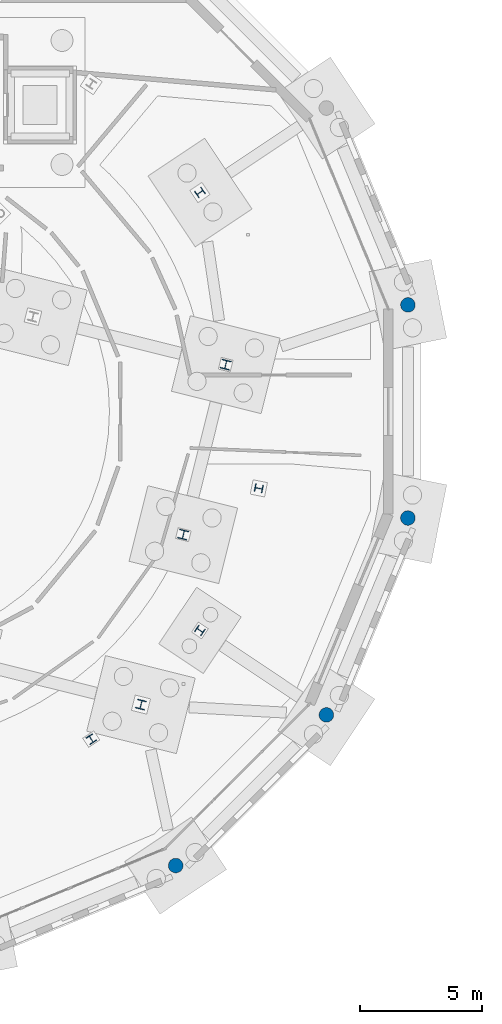
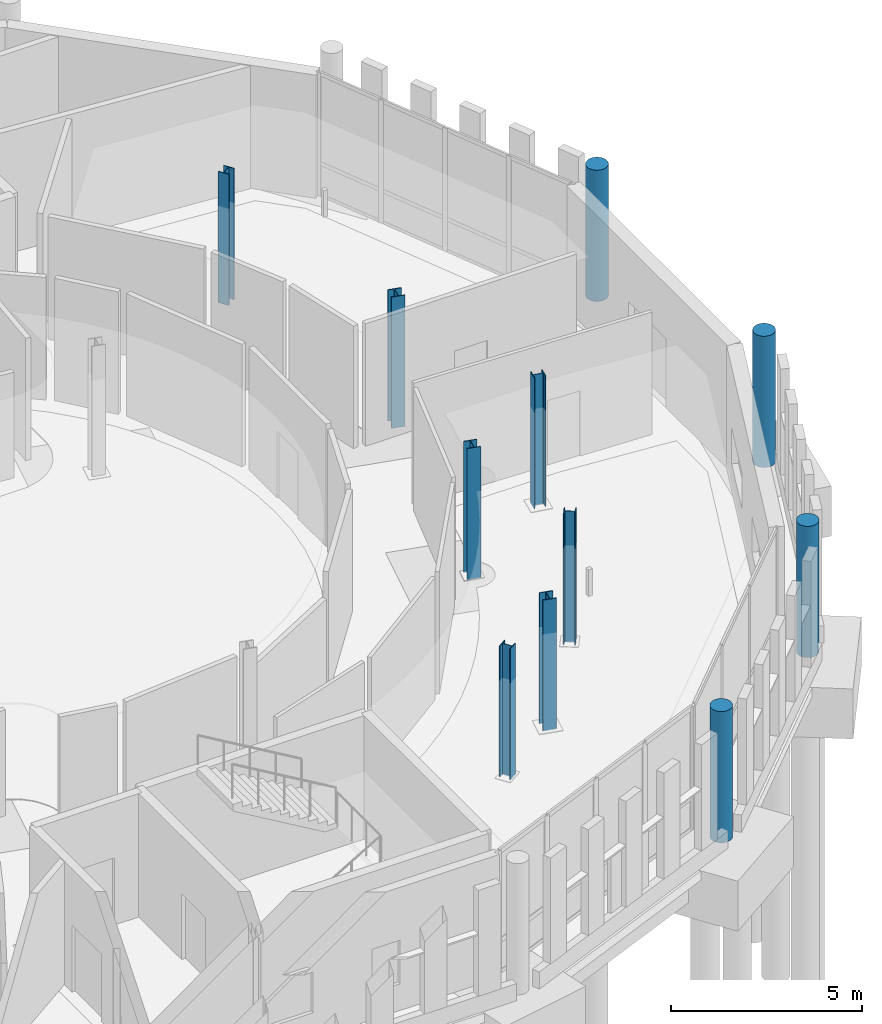
# One storey, part 22 of 113: 11 columns.
"""IFC4 building model written with IfcOpenShell, lengths in metres."""

from ifc_helpers import new_model, si_unit, direction, frame, origin, origin_2d, place, context, subcontext, project, spatial, circle, i_section, extrude, material, material_profile, profile_set, type_object, element, save


model = new_model("IFC4")

# Units and contexts
model_context = context("Model", 3, precision=1e-05, world=origin(), true_north=direction((0.0, 1.0)))
body_context = subcontext(model_context, "Body", "Model", "MODEL_VIEW")
ifc_project = project(units=[si_unit("LENGTHUNIT", "METRE"), si_unit("AREAUNIT", "SQUARE_METRE"), si_unit("VOLUMEUNIT", "CUBIC_METRE"), si_unit("PLANEANGLEUNIT", "RADIAN"), si_unit("MASSUNIT", "GRAM", prefix="KILO")], contexts=[model_context])

# Site, building, storey
site_placement = place(None, origin())
site = spatial("IfcSite", under=ifc_project, at=site_placement, CompositionType="ELEMENT")
building_placement = place(site_placement, origin())
building = spatial("IfcBuilding", under=site, at=building_placement, Name="Wrenclough Park School", CompositionType="ELEMENT")
storey_placement = place(building_placement, origin())
storey = spatial("IfcBuildingStorey", under=building, at=storey_placement, Name="L00", CompositionType="ELEMENT", Elevation=0.0)

# Columns
ifc_material_1 = material(Name="Concrete C40/50", Category="concrete")
ifc_material_profile_1 = material_profile(ifc_material_1, circle(Radius=0.300048828125, at=origin_2d()), Name="RC COL D600")
ifc_profile_set_1 = profile_set([ifc_material_profile_1], Name="Concrete C40/50")
column_type_1 = type_object("IfcColumnType", Name="STR-COL-RCD600", PredefinedType="COLUMN", material=ifc_profile_set_1)
for number, where, z_axis, x_axis, name in (
    (1, (177.5185546875, 30.8798828125, 0.0), (0.0, 0.0, 1.0), (-0.195090322016, 0.980785280403, 0.0), "D1 L00 column D1-OUT-01"),
    (2, (167.97265625, 7.83349609375, 0.0), (0.0, 0.0, 1.0), (0.831469612303, 0.55557023302, 0.0), "D1 L00 column D1-OUT-14"),
    (3, (174.16650390625, 14.02734375, 0.0), (0.0, 0.0, 1.0), (0.55557023302, 0.831469612303, 0.0), "D1 L00 column D1-OUT-15"),
    (4, (177.5185546875, 22.1201171875, 0.0), (0.0, 0.0, 1.0), (0.195090322016, 0.980785280403, 0.0), "D1 L00 column D1-OUT-16"),
):
    element("IfcColumn", number, at=place(storey_placement, frame(where, z_axis=z_axis, x_axis=x_axis)), inside=storey, type_object=column_type_1, Name=name, PredefinedType="COLUMN", context=body_context, shape_type="SweptSolid", body=[
        extrude(circle(Radius=0.300048828125, at=origin_2d()), origin(), (0.0, 0.0, 1.0), 4.199951171875),
    ])
ifc_material_2 = material(Name="Structural steel S355", Category="steel")
ifc_material_profile_2 = material_profile(ifc_material_2, i_section(OverallWidth=0.311279296875, OverallDepth=0.3271484375, WebThickness=0.015869140625, FlangeThickness=0.02490234375, FilletRadius=0.01513671875, at=origin_2d()), Name="UKC 305x305x158")
ifc_profile_set_2 = profile_set([ifc_material_profile_2], Name="Structural steel S355")
column_type_2 = type_object("IfcColumnType", Name="STR-COL-UKC305B", PredefinedType="COLUMN", material=ifc_profile_set_2)
for number, where, z_axis, x_axis, name in (
    (5, (168.9697265625, 35.500244140625, 0.0), (0.0, 0.0, 1.0), (-0.55557023302, 0.831469612303, 0.0), "D1 L00 column D1-MID-02"),
    (6, (164.500244140625, 13.0302734375, 0.0), (0.0, 0.0, 1.0), (0.831469612303, 0.55557023302, 0.0), "D1 L00 column D1-MID-14"),
    (7, (168.9697265625, 17.499755859375, 0.0), (0.0, 0.0, 1.0), (0.55557023302, 0.831469612303, 0.0), "D1 L00 column D1-MID-15"),
    (8, (171.388671875, 23.339599609375, 0.0), (0.0, 0.0, 1.0), (0.195090322016, 0.980785280403, 0.0), "D1 L00 column D1-MID-16"),
):
    element("IfcColumn", number, at=place(storey_placement, frame(where, z_axis=z_axis, x_axis=x_axis)), inside=storey, type_object=column_type_2, Name=name, PredefinedType="COLUMN", context=body_context, shape_type="SweptSolid", body=[
        extrude(i_section(OverallWidth=0.311279296875, OverallDepth=0.3271484375, WebThickness=0.015869140625, FlangeThickness=0.02490234375, FilletRadius=0.01513671875, at=origin_2d()), origin(), (0.0, 0.0, 1.0), 4.199951171875),
    ])
ifc_material_profile_3 = material_profile(ifc_material_2, i_section(OverallWidth=0.37255859375, OverallDepth=0.3681640625, WebThickness=0.014404296875, FlangeThickness=0.023681640625, FilletRadius=0.01513671875, at=origin_2d()), Name="UKC 356x368x177")
ifc_profile_set_3 = profile_set([ifc_material_profile_3], Name="Structural steel S355")
column_type_3 = type_object("IfcColumnType", Name="STR-COL-UKC356", PredefinedType="COLUMN", material=ifc_profile_set_3)
for number, where, z_axis, x_axis, name in (
    (9, (166.544189453125, 14.4501953125, 0.0), (0.0, 0.0, 1.0), (0.970295726276, -0.2419218956, 0.0), "D1 L00 column D1HR-3-0"),
    (10, (168.2861328125, 21.4365234375, 0.0), (0.0, 0.0, 1.0), (0.970295726276, -0.2419218956, 0.0), "D1 L00 column D1HR-3-1"),
    (11, (170.028076171875, 28.422607421875, 0.0), (0.0, 0.0, 1.0), (0.970295726276, -0.2419218956, 0.0), "D1 L00 column D1HR-3-2"),
):
    element("IfcColumn", number, at=place(storey_placement, frame(where, z_axis=z_axis, x_axis=x_axis)), inside=storey, type_object=column_type_3, Name=name, PredefinedType="COLUMN", context=body_context, shape_type="SweptSolid", body=[
        extrude(i_section(OverallWidth=0.37255859375, OverallDepth=0.3681640625, WebThickness=0.014404296875, FlangeThickness=0.023681640625, FilletRadius=0.01513671875, at=origin_2d()), origin(), (0.0, 0.0, 1.0), 4.199951171875),
    ])

save(model, "model.ifc")
